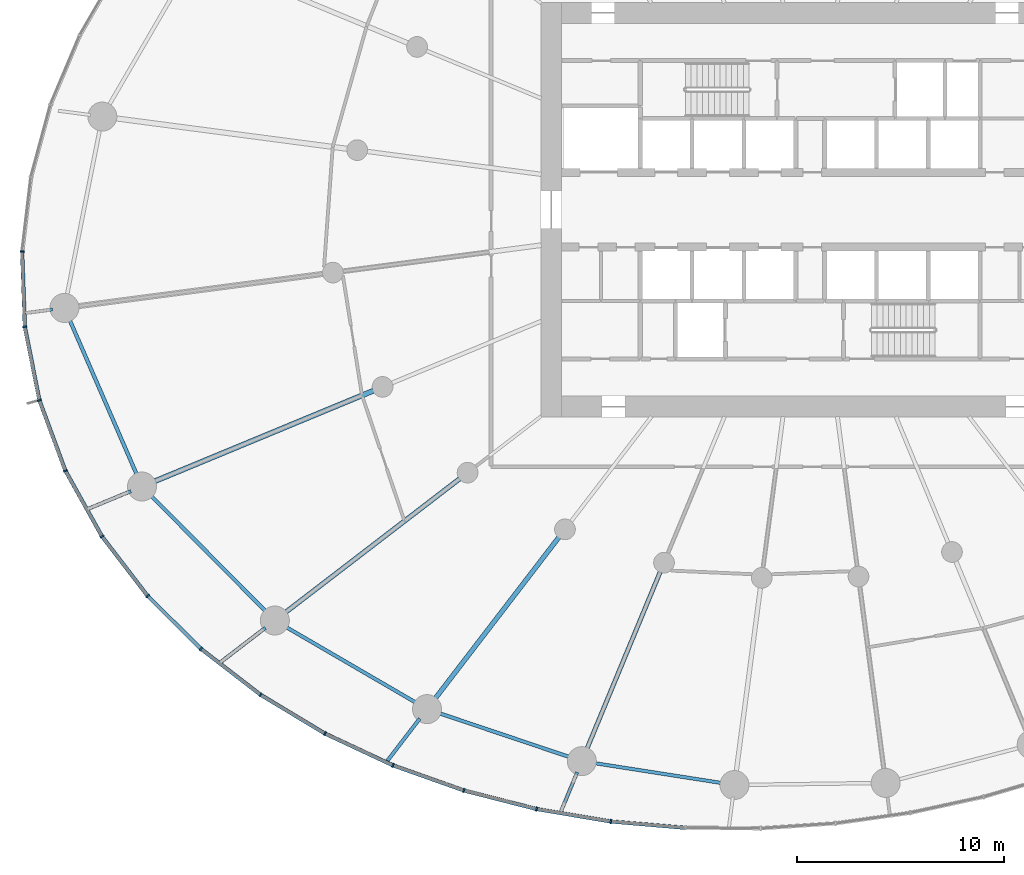
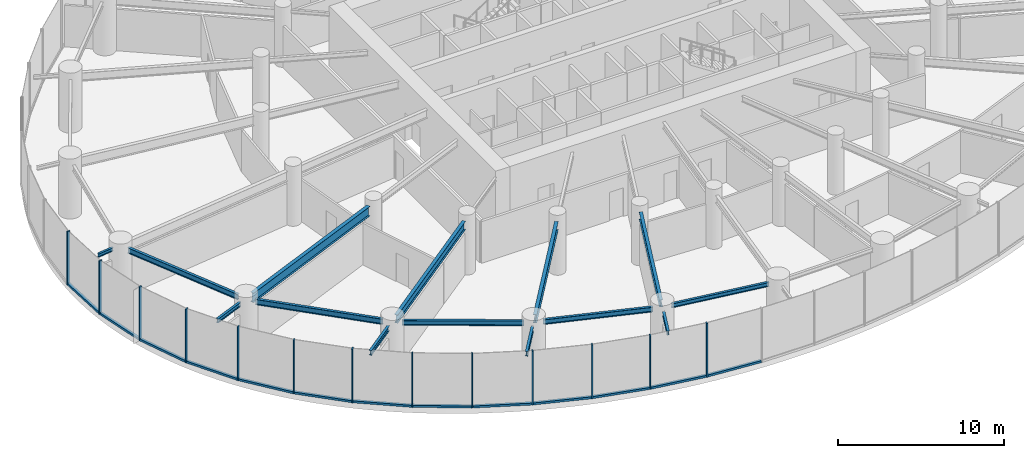
# One storey, part 2 of 19: 26 members, 14 beams, 3 elements without a shape of their own.
"""IFC4 building model written with IfcOpenShell, lengths in metres."""

from ifc_helpers import new_model, si_unit, direction, frame, origin, origin_2d, place, context, subcontext, project, spatial, rectangle, i_section, extrude, source, transform, mapped, material, layer, layer_set, material_profile, profile_set, type_object, element, aggregate, save


model = new_model("IFC4")

# Units and contexts
model_context = context("Model", 3, precision=1e-05, world=origin(), true_north=direction((0.0, 1.0)))
body_context = subcontext(model_context, "Body", "Model", "MODEL_VIEW")
ifc_project = project(units=[si_unit("LENGTHUNIT", "METRE"), si_unit("AREAUNIT", "SQUARE_METRE"), si_unit("VOLUMEUNIT", "CUBIC_METRE"), si_unit("PLANEANGLEUNIT", "RADIAN"), si_unit("MASSUNIT", "GRAM", prefix="KILO")], contexts=[model_context])

# Site, building, storey
site_placement = place(None, origin())
site = spatial("IfcSite", under=ifc_project, at=site_placement, CompositionType="ELEMENT")
building_placement = place(site_placement, origin())
building = spatial("IfcBuilding", under=site, at=building_placement, Name="Spindrift Exchange Tower", CompositionType="ELEMENT")
storey_placement = place(building_placement, frame((0.0, 0.0, 57.800048828125)))
storey = spatial("IfcBuildingStorey", under=building, at=storey_placement, Name="L13", CompositionType="ELEMENT", Elevation=57.800048828125)

# Beams
ifc_material_1 = material(Name="Steel Grade 300", Category="steel")
ifc_material_profile_1 = material_profile(ifc_material_1, i_section(OverallWidth=0.25, OverallDepth=0.699951171875, WebThickness=0.008056640625, FlangeThickness=0.011962890625, at=origin_2d()), Name="700WB115")
ifc_profile_set_1 = profile_set([ifc_material_profile_1], Name="Steel Grade 300")
beam_type_1 = type_object("IfcBeamType", Name="Floor Beam 700WB115 Steel Grade 300", PredefinedType="BEAM", material=ifc_profile_set_1)
shared_shape_1 = source(origin(), body_context, "Body", "SweptSolid", [
    extrude(i_section(OverallWidth=0.25, OverallDepth=0.699951171875, WebThickness=0.008056640625, FlangeThickness=0.011962890625, at=origin_2d()), origin(), (0.0, 0.0, 1.0), 11.505859375),
])
beam_1_placement = place(storey_placement, frame((30.917236328125, 39.26708984375, 3.599853515625), z_axis=(-0.923881578419, -0.38267849307, 0.0), x_axis=(0.38267849307, -0.923881578419, 0.0)))
element("IfcBeam", 1, at=beam_1_placement, inside=storey, type_object=beam_type_1, Name="L13 radial beam R14B", PredefinedType="BEAM", context=body_context, shape_type="MappedRepresentation", body=[
    mapped(shared_shape_1, transform((0.0, 0.0, 0.0), scale=1.0)),
])
ifc_material_profile_2 = material_profile(ifc_material_1, i_section(OverallWidth=0.22802734375, OverallDepth=0.60693359375, WebThickness=0.01123046875, FlangeThickness=0.017333984375, FilletRadius=0.013916015625, at=origin_2d()), Name="610UB113")
ifc_profile_set_2 = profile_set([ifc_material_profile_2], Name="Steel Grade 300")
beam_type_2 = type_object("IfcBeamType", Name="Floor Beam 610UB113 Steel Grade 300", PredefinedType="BEAM", material=ifc_profile_set_2)
shared_shape_2 = source(origin(), body_context, "Body", "SweptSolid", [
    extrude(i_section(OverallWidth=0.22802734375, OverallDepth=0.60693359375, WebThickness=0.01123046875, FlangeThickness=0.017333984375, FilletRadius=0.013916015625, at=origin_2d()), origin(), (0.0, 0.0, 1.0), 10.66357421875),
])
beam_2_placement = place(storey_placement, frame((35.08447265625, 35.020263671875, 3.646484375), z_axis=(-0.793357926757, -0.608755451764, 0.0), x_axis=(0.608755451764, -0.793357926757, 0.0)))
element("IfcBeam", 2, at=beam_2_placement, inside=storey, type_object=beam_type_2, Name="L13 radial beam R15B", PredefinedType="BEAM", context=body_context, shape_type="MappedRepresentation", body=[
    mapped(shared_shape_2, transform((0.0, 0.0, 0.0), scale=1.0)),
])
shared_shape_3 = source(origin(), body_context, "Body", "SweptSolid", [
    extrude(i_section(OverallWidth=0.22802734375, OverallDepth=0.60693359375, WebThickness=0.01123046875, FlangeThickness=0.017333984375, FilletRadius=0.013916015625, at=origin_2d()), origin(), (0.0, 0.0, 1.0), 9.87548828125),
])
beam_3_placement = place(storey_placement, frame((39.872802734375, 32.1953125, 3.646484375), z_axis=(-0.608772470836, -0.793344867477, 0.0), x_axis=(0.793344867477, -0.608772470836, 0.0)))
element("IfcBeam", 3, at=beam_3_placement, inside=storey, type_object=beam_type_2, Name="L13 radial beam R16B", PredefinedType="BEAM", context=body_context, shape_type="MappedRepresentation", body=[
    mapped(shared_shape_3, transform((0.0, 0.0, 0.0), scale=1.0)),
])
ifc_material_profile_3 = material_profile(ifc_material_1, i_section(OverallWidth=0.208984375, OverallDepth=0.532958984375, WebThickness=0.01025390625, FlangeThickness=0.015625, FilletRadius=0.013916015625, at=origin_2d()), Name="530UB92.4")
ifc_profile_set_3 = profile_set([ifc_material_profile_3], Name="Steel Grade 300")
beam_type_3 = type_object("IfcBeamType", Name="Floor Beam 530UB92.4 Steel Grade 300", PredefinedType="BEAM", material=ifc_profile_set_3)
shared_shape_4 = source(origin(), body_context, "Body", "SweptSolid", [
    extrude(i_section(OverallWidth=0.208984375, OverallDepth=0.532958984375, WebThickness=0.01025390625, FlangeThickness=0.015625, FilletRadius=0.013916015625, at=origin_2d()), origin(), (0.0, 0.0, 1.0), 9.309326171875),
])
beam_4_placement = place(storey_placement, frame((44.76171875, 30.525146484375, 3.683349609375), z_axis=(-0.382685326691, -0.923878747853, 0.0), x_axis=(0.923878747853, -0.382685326691, 0.0)))
element("IfcBeam", 4, at=beam_4_placement, inside=storey, type_object=beam_type_3, Name="L13 radial beam R17B", PredefinedType="BEAM", context=body_context, shape_type="MappedRepresentation", body=[
    mapped(shared_shape_4, transform((0.0, 0.0, 0.0), scale=1.0)),
])
ifc_material_profile_4 = material_profile(ifc_material_1, i_section(OverallWidth=0.177978515625, OverallDepth=0.406005859375, WebThickness=0.0078125, FlangeThickness=0.0126953125, FilletRadius=0.013916015625, at=origin_2d()), Name="410UB59.7")
ifc_profile_set_4 = profile_set([ifc_material_profile_4], Name="Steel Grade 300")
beam_type_4 = type_object("IfcBeamType", Name="Edge Beam 410UB59.7 Steel Grade 300", PredefinedType="SPANDREL", material=ifc_profile_set_4)
shared_shape_5 = source(origin(), body_context, "Body", "SweptSolid", [
    extrude(i_section(OverallWidth=0.177978515625, OverallDepth=0.406005859375, WebThickness=0.0078125, FlangeThickness=0.0126953125, FilletRadius=0.013916015625, at=origin_2d()), origin(), (0.0, 0.0, 1.0), 8.23681640625),
])
beam_5_placement = place(storey_placement, frame((16.240478515625, 42.729736328125, 3.7470703125), z_axis=(0.398186298756, -0.91730456855, 0.0), x_axis=(0.91730456855, 0.398186298756, 0.0)))
element("IfcBeam", 5, at=beam_5_placement, inside=storey, type_object=beam_type_4, Name="L13 edge beam E13", PredefinedType="SPANDREL", context=body_context, shape_type="MappedRepresentation", body=[
    mapped(shared_shape_5, transform((0.0, 0.0, 0.0), scale=1.0)),
])
shared_shape_6 = source(origin(), body_context, "Body", "SweptSolid", [
    extrude(i_section(OverallWidth=0.177978515625, OverallDepth=0.406005859375, WebThickness=0.0078125, FlangeThickness=0.0126953125, FilletRadius=0.013916015625, at=origin_2d()), origin(), (0.0, 0.0, 1.0), 7.947509765625),
])
beam_6_placement = place(storey_placement, frame((20.159423828125, 34.230224609375, 3.7470703125), z_axis=(0.704197895271, -0.710003749494, 0.0), x_axis=(0.710003749494, 0.704197895271, 0.0)))
element("IfcBeam", 6, at=beam_6_placement, inside=storey, type_object=beam_type_4, Name="L13 edge beam E14", PredefinedType="SPANDREL", context=body_context, shape_type="MappedRepresentation", body=[
    mapped(shared_shape_6, transform((0.0, 0.0, 0.0), scale=1.0)),
])
ifc_material_profile_5 = material_profile(ifc_material_1, i_section(OverallWidth=0.172119140625, OverallDepth=0.35888671875, WebThickness=0.008056640625, FlangeThickness=0.012939453125, FilletRadius=0.013916015625, at=origin_2d()), Name="360UB56.7")
ifc_profile_set_5 = profile_set([ifc_material_profile_5], Name="Steel Grade 300")
beam_type_5 = type_object("IfcBeamType", Name="Edge Beam 360UB56.7 Steel Grade 300", PredefinedType="SPANDREL", material=ifc_profile_set_5)
shared_shape_7 = source(origin(), body_context, "Body", "SweptSolid", [
    extrude(i_section(OverallWidth=0.172119140625, OverallDepth=0.35888671875, WebThickness=0.008056640625, FlangeThickness=0.012939453125, FilletRadius=0.013916015625, at=origin_2d()), origin(), (0.0, 0.0, 1.0), 7.33740234375),
])
beam_7_placement = place(storey_placement, frame((26.66552734375, 27.8837890625, 3.7705078125), z_axis=(0.864211826308, -0.503128134047, 0.0), x_axis=(0.503128134047, 0.864211826308, 0.0)))
element("IfcBeam", 7, at=beam_7_placement, inside=storey, type_object=beam_type_5, Name="L13 edge beam E15", PredefinedType="SPANDREL", context=body_context, shape_type="MappedRepresentation", body=[
    mapped(shared_shape_7, transform((0.0, 0.0, 0.0), scale=1.0)),
])
shared_shape_8 = source(origin(), body_context, "Body", "SweptSolid", [
    extrude(i_section(OverallWidth=0.172119140625, OverallDepth=0.35888671875, WebThickness=0.008056640625, FlangeThickness=0.012939453125, FilletRadius=0.013916015625, at=origin_2d()), origin(), (0.0, 0.0, 1.0), 6.72021484375),
])
beam_8_placement = place(storey_placement, frame((34.0576171875, 23.71533203125, 3.7705078125), z_axis=(0.947851749681, -0.318711563372, 0.0), x_axis=(0.318711563372, 0.947851749681, 0.0)))
element("IfcBeam", 8, at=beam_8_placement, inside=storey, type_object=beam_type_5, Name="L13 edge beam E16", PredefinedType="SPANDREL", context=body_context, shape_type="MappedRepresentation", body=[
    mapped(shared_shape_8, transform((0.0, 0.0, 0.0), scale=1.0)),
])
ifc_material_profile_6 = material_profile(ifc_material_1, i_section(OverallWidth=0.1650390625, OverallDepth=0.303955078125, WebThickness=0.006103515625, FlangeThickness=0.01025390625, FilletRadius=0.011474609375, at=origin_2d()), Name="310UB40.4")
ifc_profile_set_6 = profile_set([ifc_material_profile_6], Name="Steel Grade 300")
beam_type_6 = type_object("IfcBeamType", Name="Edge Beam 310UB40.4 Steel Grade 300", PredefinedType="SPANDREL", material=ifc_profile_set_6)
shared_shape_9 = source(origin(), body_context, "Body", "SweptSolid", [
    extrude(i_section(OverallWidth=0.1650390625, OverallDepth=0.303955078125, WebThickness=0.006103515625, FlangeThickness=0.01025390625, FilletRadius=0.011474609375, at=origin_2d()), origin(), (0.0, 0.0, 1.0), 6.297119140625),
])
beam_9_placement = place(storey_placement, frame((41.55029296875, 21.29931640625, 3.7978515625), z_axis=(0.98802902915, -0.154268070436, 0.0), x_axis=(0.154268070436, 0.98802902915, 0.0)))
element("IfcBeam", 9, at=beam_9_placement, inside=storey, type_object=beam_type_6, Name="L13 edge beam E17", PredefinedType="SPANDREL", context=body_context, shape_type="MappedRepresentation", body=[
    mapped(shared_shape_9, transform((0.0, 0.0, 0.0), scale=1.0)),
])
ifc_material_profile_7 = material_profile(ifc_material_1, i_section(OverallWidth=0.14599609375, OverallDepth=0.251953125, WebThickness=0.006103515625, FlangeThickness=0.008544921875, FilletRadius=0.011962890625, at=origin_2d()), Name="250UB31.4")
ifc_profile_set_7 = profile_set([ifc_material_profile_7], Name="Steel Grade 300")
beam_type_7 = type_object("IfcBeamType", Name="Cantilever Beam 250UB31.4 Steel Grade 300", PredefinedType="BEAM", material=ifc_profile_set_7)
shared_shape_10 = source(origin(), body_context, "Body", "SweptSolid", [
    extrude(i_section(OverallWidth=0.14599609375, OverallDepth=0.251953125, WebThickness=0.006103515625, FlangeThickness=0.008544921875, FilletRadius=0.011962890625, at=origin_2d()), origin(), (0.0, 0.0, 1.0), 1.119140625),
])
beam_10_placement = place(storey_placement, frame((15.4345703125, 43.18603515625, 3.823974609375), z_axis=(-0.991455038011, -0.130448869688, 0.0), x_axis=(0.130448869688, -0.991455038011, 0.0)))
element("IfcBeam", 10, at=beam_10_placement, inside=storey, type_object=beam_type_7, Name="L13 cantilever beam R13T", PredefinedType="BEAM", context=body_context, shape_type="MappedRepresentation", body=[
    mapped(shared_shape_10, transform((0.0, 0.0, 0.0), scale=1.0)),
])
ifc_material_profile_8 = material_profile(ifc_material_1, i_section(OverallWidth=0.1650390625, OverallDepth=0.303955078125, WebThickness=0.006103515625, FlangeThickness=0.01025390625, FilletRadius=0.011474609375, at=origin_2d()), Name="310UB40.4")
ifc_profile_set_8 = profile_set([ifc_material_profile_8], Name="Steel Grade 300")
beam_type_8 = type_object("IfcBeamType", Name="Cantilever Beam 310UB40.4 Steel Grade 300", PredefinedType="BEAM", material=ifc_profile_set_8)
shared_shape_11 = source(origin(), body_context, "Body", "SweptSolid", [
    extrude(i_section(OverallWidth=0.1650390625, OverallDepth=0.303955078125, WebThickness=0.006103515625, FlangeThickness=0.01025390625, FilletRadius=0.011474609375, at=origin_2d()), origin(), (0.0, 0.0, 1.0), 2.27392578125),
])
beam_11_placement = place(storey_placement, frame((19.21533203125, 34.420166015625, 3.7978515625), z_axis=(-0.92385325194, -0.382746873116, 0.0), x_axis=(0.382746873116, -0.92385325194, 0.0)))
element("IfcBeam", 11, at=beam_11_placement, inside=storey, type_object=beam_type_8, Name="L13 cantilever beam R14T", PredefinedType="BEAM", context=body_context, shape_type="MappedRepresentation", body=[
    mapped(shared_shape_11, transform((0.0, 0.0, 0.0), scale=1.0)),
])
ifc_material_profile_9 = material_profile(ifc_material_1, i_section(OverallWidth=0.172119140625, OverallDepth=0.35888671875, WebThickness=0.008056640625, FlangeThickness=0.012939453125, FilletRadius=0.013916015625, at=origin_2d()), Name="360UB56.7")
ifc_profile_set_9 = profile_set([ifc_material_profile_9], Name="Steel Grade 300")
beam_type_9 = type_object("IfcBeamType", Name="Cantilever Beam 360UB56.7 Steel Grade 300", PredefinedType="BEAM", material=ifc_profile_set_9)
shared_shape_12 = source(origin(), body_context, "Body", "SweptSolid", [
    extrude(i_section(OverallWidth=0.172119140625, OverallDepth=0.35888671875, WebThickness=0.008056640625, FlangeThickness=0.012939453125, FilletRadius=0.013916015625, at=origin_2d()), origin(), (0.0, 0.0, 1.0), 2.87646484375),
])
beam_12_placement = place(storey_placement, frame((25.704345703125, 27.822509765625, 3.7705078125), z_axis=(-0.79336175846, -0.60875045808, 0.0), x_axis=(0.60875045808, -0.79336175846, 0.0)))
element("IfcBeam", 12, at=beam_12_placement, inside=storey, type_object=beam_type_9, Name="L13 cantilever beam R15T", PredefinedType="BEAM", context=body_context, shape_type="MappedRepresentation", body=[
    mapped(shared_shape_12, transform((0.0, 0.0, 0.0), scale=1.0)),
])
shared_shape_13 = source(origin(), body_context, "Body", "SweptSolid", [
    extrude(i_section(OverallWidth=0.172119140625, OverallDepth=0.35888671875, WebThickness=0.008056640625, FlangeThickness=0.012939453125, FilletRadius=0.013916015625, at=origin_2d()), origin(), (0.0, 0.0, 1.0), 2.71337890625),
])
beam_13_placement = place(storey_placement, frame((33.154541015625, 23.440185546875, 3.7705078125), z_axis=(-0.608788496113, -0.793332570238, 0.0), x_axis=(0.793332570238, -0.608788496113, 0.0)))
element("IfcBeam", 13, at=beam_13_placement, inside=storey, type_object=beam_type_9, Name="L13 cantilever beam R16T", PredefinedType="BEAM", context=body_context, shape_type="MappedRepresentation", body=[
    mapped(shared_shape_13, transform((0.0, 0.0, 0.0), scale=1.0)),
])
shared_shape_14 = source(origin(), body_context, "Body", "SweptSolid", [
    extrude(i_section(OverallWidth=0.1650390625, OverallDepth=0.303955078125, WebThickness=0.006103515625, FlangeThickness=0.01025390625, FilletRadius=0.011474609375, at=origin_2d()), origin(), (0.0, 0.0, 1.0), 2.148193359375),
])
beam_14_placement = place(storey_placement, frame((40.755126953125, 20.852783203125, 3.7978515625), z_axis=(-0.38266965235, -0.92388524026, 0.0), x_axis=(0.92388524026, -0.38266965235, 0.0)))
element("IfcBeam", 14, at=beam_14_placement, inside=storey, type_object=beam_type_8, Name="L13 cantilever beam R17T", PredefinedType="BEAM", context=body_context, shape_type="MappedRepresentation", body=[
    mapped(shared_shape_14, transform((0.0, 0.0, 0.0), scale=1.0)),
])

# Curtain wall, members
ifc_material_2 = material(Name="Fritted laminated glass with bronze frame", Category="glass")
ifc_layer = layer(ifc_material_2, 0.199951171875)
ifc_layer_set = layer_set([ifc_layer], Name="ZONE 1 BRONZE FRITTED WALL")
curtain_wall_type = type_object("IfcCurtainWallType", Name="ZONE 1 BRONZE FRITTED WALL", PredefinedType="NOTDEFINED", material=ifc_layer_set)
curtain_wall_1_placement = place(storey_placement, origin())
curtain_wall_1 = element("IfcCurtainWall", 15, at=curtain_wall_1_placement, inside=storey, type_object=curtain_wall_type, Name="L13 Zone 1 Bronze Fritted Wall run 5", PredefinedType="NOTDEFINED")
ifc_material_3 = material(Name="Bronze anodised aluminium", Category="aluminium")
ifc_material_profile_10 = material_profile(ifc_material_3, rectangle(XDim=0.080078125, YDim=0.199951171875, at=origin_2d()), Name="ZONE 1 BRONZE FRITTED WALL MULLION 80X200")
ifc_profile_set_10 = profile_set([ifc_material_profile_10], Name="Bronze anodised aluminium")
member_type_1 = type_object("IfcMemberType", Name="ZONE 1 BRONZE FRITTED WALL MULLION 80X200", PredefinedType="MULLION", material=ifc_profile_set_10)
shared_shape_15 = source(origin(), body_context, "Body", "SweptSolid", [
    extrude(rectangle(XDim=0.080078125, YDim=0.199951171875, at=origin_2d()), origin(), (0.0, 0.0, 1.0), 3.949951171875),
])
member_1_placement = place(storey_placement, frame((13.9658203125, 45.981201171875, 0.0), z_axis=(0.0, 0.0, 1.0), x_axis=(-0.040908109503, -0.999162912931, 0.0)))
member_1 = element("IfcMember", 16, at=member_1_placement, type_object=member_type_1, Name="L13 mullion CW-1.29", PredefinedType="MULLION", context=body_context, shape_type="MappedRepresentation", body=[
    mapped(shared_shape_15, transform((0.0, 0.0, 0.0), scale=1.0)),
])
member_2_placement = place(storey_placement, frame((14.096923828125, 42.35888671875, 0.0), z_axis=(0.0, 0.0, 1.0), x_axis=(0.115363592162, -0.993323331853, 0.0)))
member_2 = element("IfcMember", 17, at=member_2_placement, type_object=member_type_1, Name="L13 mullion CW-1.30", PredefinedType="MULLION", context=body_context, shape_type="MappedRepresentation", body=[
    mapped(shared_shape_15, transform((0.0, 0.0, 0.0), scale=1.0)),
])

curtain_wall_2_placement = place(storey_placement, origin())
curtain_wall_2 = element("IfcCurtainWall", 18, at=curtain_wall_2_placement, inside=storey, type_object=curtain_wall_type, Name="L13 Zone 1 Bronze Fritted Wall run 6", PredefinedType="NOTDEFINED")
member_3_placement = place(storey_placement, frame((14.799560546875, 38.803466796875, 0.0), z_axis=(0.0, 0.0, 1.0), x_axis=(0.271047033247, -0.962566104623, 0.0)))
member_3 = element("IfcMember", 19, at=member_3_placement, type_object=member_type_1, Name="L13 mullion CW-1.31", PredefinedType="MULLION", context=body_context, shape_type="MappedRepresentation", body=[
    mapped(shared_shape_15, transform((0.0, 0.0, 0.0), scale=1.0)),
])
member_4_placement = place(storey_placement, frame((16.0556640625, 35.403564453125, 0.0), z_axis=(0.0, 0.0, 1.0), x_axis=(0.417791063261, -0.908543134617, 0.0)))
member_4 = element("IfcMember", 20, at=member_4_placement, type_object=member_type_1, Name="L13 mullion CW-1.32", PredefinedType="MULLION", context=body_context, shape_type="MappedRepresentation", body=[
    mapped(shared_shape_15, transform((0.0, 0.0, 0.0), scale=1.0)),
])
member_5_placement = place(storey_placement, frame((17.819091796875, 32.23681640625, 0.0), z_axis=(0.0, 0.0, 1.0), x_axis=(0.548931809215, -0.835867135873, 0.0)))
member_5 = element("IfcMember", 21, at=member_5_placement, type_object=member_type_1, Name="L13 mullion CW-1.33", PredefinedType="MULLION", context=body_context, shape_type="MappedRepresentation", body=[
    mapped(shared_shape_15, transform((0.0, 0.0, 0.0), scale=1.0)),
])
member_6_placement = place(storey_placement, frame((20.02490234375, 29.359619140625, 0.0), z_axis=(0.0, 0.0, 1.0), x_axis=(0.660779365314, -0.750580195832, 0.0)))
member_6 = element("IfcMember", 22, at=member_6_placement, type_object=member_type_1, Name="L13 mullion CW-1.34", PredefinedType="MULLION", context=body_context, shape_type="MappedRepresentation", body=[
    mapped(shared_shape_15, transform((0.0, 0.0, 0.0), scale=1.0)),
])
member_7_placement = place(storey_placement, frame((22.599609375, 26.806884765625, 0.0), z_axis=(0.0, 0.0, 1.0), x_axis=(0.752603232576, -0.658474277642, 0.0)))
member_7 = element("IfcMember", 23, at=member_7_placement, type_object=member_type_1, Name="L13 mullion CW-1.35", PredefinedType="MULLION", context=body_context, shape_type="MappedRepresentation", body=[
    mapped(shared_shape_15, transform((0.0, 0.0, 0.0), scale=1.0)),
])
member_8_placement = place(storey_placement, frame((25.471923828125, 24.59375, 0.0), z_axis=(0.0, 0.0, 1.0), x_axis=(0.825712558995, -0.564091100726, 0.0)))
member_8 = element("IfcMember", 24, at=member_8_placement, type_object=member_type_1, Name="L13 mullion CW-1.36", PredefinedType="MULLION", context=body_context, shape_type="MappedRepresentation", body=[
    mapped(shared_shape_15, transform((0.0, 0.0, 0.0), scale=1.0)),
])

curtain_wall_3_placement = place(storey_placement, origin())
curtain_wall_3 = element("IfcCurtainWall", 25, at=curtain_wall_3_placement, inside=storey, type_object=curtain_wall_type, Name="L13 Zone 1 Bronze Fritted Wall run 7", PredefinedType="NOTDEFINED")
member_9_placement = place(storey_placement, frame((28.578125, 22.722412109375, 0.0), z_axis=(0.0, 0.0, 1.0), x_axis=(0.882440609007, -0.470423821225, 0.0)))
member_9 = element("IfcMember", 26, at=member_9_placement, type_object=member_type_1, Name="L13 mullion CW-1.37", PredefinedType="MULLION", context=body_context, shape_type="MappedRepresentation", body=[
    mapped(shared_shape_15, transform((0.0, 0.0, 0.0), scale=1.0)),
])
member_10_placement = place(storey_placement, frame((31.863525390625, 21.1865234375, 0.0), z_axis=(0.0, 0.0, 1.0), x_axis=(0.925328087179, -0.379167418271, 0.0)))
member_10 = element("IfcMember", 27, at=member_10_placement, type_object=member_type_1, Name="L13 mullion CW-1.38", PredefinedType="MULLION", context=body_context, shape_type="MappedRepresentation", body=[
    mapped(shared_shape_15, transform((0.0, 0.0, 0.0), scale=1.0)),
])
member_11_placement = place(storey_placement, frame((35.2822265625, 19.975341796875, 0.0), z_axis=(0.0, 0.0, 1.0), x_axis=(0.95669199266, -0.29110209752, 0.0)))
member_11 = element("IfcMember", 28, at=member_11_placement, type_object=member_type_1, Name="L13 mullion CW-1.39", PredefinedType="MULLION", context=body_context, shape_type="MappedRepresentation", body=[
    mapped(shared_shape_15, transform((0.0, 0.0, 0.0), scale=1.0)),
])
member_12_placement = place(storey_placement, frame((38.79638671875, 19.076904296875, 0.0), z_axis=(0.0, 0.0, 1.0), x_axis=(0.978457025214, -0.206450598956, 0.0)))
member_12 = element("IfcMember", 29, at=member_12_placement, type_object=member_type_1, Name="L13 mullion CW-1.40", PredefinedType="MULLION", context=body_context, shape_type="MappedRepresentation", body=[
    mapped(shared_shape_15, transform((0.0, 0.0, 0.0), scale=1.0)),
])
member_13_placement = place(storey_placement, frame((42.373779296875, 18.47900390625, 0.0), z_axis=(0.0, 0.0, 1.0), x_axis=(0.992149205244, -0.125059803829, 0.0)))
member_13 = element("IfcMember", 30, at=member_13_placement, type_object=member_type_1, Name="L13 mullion CW-1.41", PredefinedType="MULLION", context=body_context, shape_type="MappedRepresentation", body=[
    mapped(shared_shape_15, transform((0.0, 0.0, 0.0), scale=1.0)),
])

# Member
ifc_material_profile_11 = material_profile(ifc_material_3, rectangle(XDim=0.179931640625, YDim=0.14990234375, at=origin_2d()), Name="ZONE 1 BRONZE FRITTED WALL TRANSOM 180X150")
ifc_profile_set_11 = profile_set([ifc_material_profile_11], Name="Bronze anodised aluminium")
member_type_2 = type_object("IfcMemberType", Name="ZONE 1 BRONZE FRITTED WALL TRANSOM 180X150", PredefinedType="USERDEFINED", material=ifc_profile_set_11)
shared_shape_16 = source(origin(), body_context, "Body", "SweptSolid", [
    extrude(rectangle(XDim=0.179931640625, YDim=0.14990234375, at=origin_2d()), origin(), (0.0, 0.0, 1.0), 3.54443359375),
])
member_14_placement = place(storey_placement, frame((13.96728515625, 45.941162109375, 0.074951171875), z_axis=(0.036160772096, -0.999345985413, 0.0), x_axis=(0.999345985413, 0.036160772096, 0.0)))
member_14 = element("IfcMember", 31, at=member_14_placement, type_object=member_type_2, Name="L13 transom CW-1.29", ObjectType="TRANSOM", PredefinedType="USERDEFINED", context=body_context, shape_type="MappedRepresentation", body=[
    mapped(shared_shape_16, transform((0.0, 0.0, 0.0), scale=1.0)),
])

member_15_placement = place(storey_placement, frame((14.104736328125, 42.31982421875, 0.074951171875), z_axis=(0.193824065312, -0.981036304989, 0.0), x_axis=(0.981036304989, 0.193824065312, 0.0)))
member_15 = element("IfcMember", 32, at=member_15_placement, type_object=member_type_2, Name="L13 transom CW-1.30", ObjectType="TRANSOM", PredefinedType="USERDEFINED", context=body_context, shape_type="MappedRepresentation", body=[
    mapped(shared_shape_16, transform((0.0, 0.0, 0.0), scale=1.0)),
])

aggregate(curtain_wall_1, [member_1, member_14, member_2, member_15])

shared_shape_17 = source(origin(), body_context, "Body", "SweptSolid", [
    extrude(rectangle(XDim=0.179931640625, YDim=0.14990234375, at=origin_2d()), origin(), (0.0, 0.0, 1.0), 3.544921875),
])
member_16_placement = place(storey_placement, frame((16.074951171875, 35.36865234375, 0.074951171875), z_axis=(0.486578267998, -0.873636989322, 0.0), x_axis=(0.873636989322, 0.486578267998, 0.0)))
member_16 = element("IfcMember", 33, at=member_16_placement, type_object=member_type_2, Name="L13 transom CW-1.32", ObjectType="TRANSOM", PredefinedType="USERDEFINED", context=body_context, shape_type="MappedRepresentation", body=[
    mapped(shared_shape_17, transform((0.0, 0.0, 0.0), scale=1.0)),
])

shared_shape_18 = source(origin(), body_context, "Body", "SweptSolid", [
    extrude(rectangle(XDim=0.179931640625, YDim=0.14990234375, at=origin_2d()), origin(), (0.0, 0.0, 1.0), 3.545654296875),
])
member_17_placement = place(storey_placement, frame((20.05322265625, 29.33154296875, 0.074951171875), z_axis=(0.710095604834, -0.704105270535, 0.0), x_axis=(0.704105270535, 0.710095604834, 0.0)))
member_17 = element("IfcMember", 34, at=member_17_placement, type_object=member_type_2, Name="L13 transom CW-1.34", ObjectType="TRANSOM", PredefinedType="USERDEFINED", context=body_context, shape_type="MappedRepresentation", body=[
    mapped(shared_shape_18, transform((0.0, 0.0, 0.0), scale=1.0)),
])

shared_shape_19 = source(origin(), body_context, "Body", "SweptSolid", [
    extrude(rectangle(XDim=0.179931640625, YDim=0.14990234375, at=origin_2d()), origin(), (0.0, 0.0, 1.0), 3.546142578125),
])
member_18_placement = place(storey_placement, frame((22.631103515625, 26.782470703125, 0.074951171875), z_axis=(0.792150269001, -0.610326102442, 0.0), x_axis=(0.610326102442, 0.792150269001, 0.0)))
member_18 = element("IfcMember", 35, at=member_18_placement, type_object=member_type_2, Name="L13 transom CW-1.35", ObjectType="TRANSOM", PredefinedType="USERDEFINED", context=body_context, shape_type="MappedRepresentation", body=[
    mapped(shared_shape_19, transform((0.0, 0.0, 0.0), scale=1.0)),
])

shared_shape_20 = source(origin(), body_context, "Body", "SweptSolid", [
    extrude(rectangle(XDim=0.179931640625, YDim=0.14990234375, at=origin_2d()), origin(), (0.0, 0.0, 1.0), 3.546875),
])
member_19_placement = place(storey_placement, frame((31.901123046875, 21.173095703125, 0.074951171875), z_axis=(0.94260465903, -0.333910851538, 0.0), x_axis=(0.333910851538, 0.94260465903, 0.0)))
member_19 = element("IfcMember", 36, at=member_19_placement, type_object=member_type_2, Name="L13 transom CW-1.38", ObjectType="TRANSOM", PredefinedType="USERDEFINED", context=body_context, shape_type="MappedRepresentation", body=[
    mapped(shared_shape_20, transform((0.0, 0.0, 0.0), scale=1.0)),
])

shared_shape_21 = source(origin(), body_context, "Body", "SweptSolid", [
    extrude(rectangle(XDim=0.179931640625, YDim=0.14990234375, at=origin_2d()), origin(), (0.0, 0.0, 1.0), 3.547119140625),
])
member_20_placement = place(storey_placement, frame((35.321044921875, 19.965576171875, 0.074951171875), z_axis=(0.968833058709, -0.247714562254, 0.0), x_axis=(0.247714562254, 0.968833058709, 0.0)))
member_20 = element("IfcMember", 37, at=member_20_placement, type_object=member_type_2, Name="L13 transom CW-1.39", ObjectType="TRANSOM", PredefinedType="USERDEFINED", context=body_context, shape_type="MappedRepresentation", body=[
    mapped(shared_shape_21, transform((0.0, 0.0, 0.0), scale=1.0)),
])

member_21_placement = place(storey_placement, frame((38.835693359375, 19.0703125, 0.074951171875), z_axis=(0.986319413077, -0.164845428773, 0.0), x_axis=(0.164845428773, 0.986319413077, 0.0)))
member_21 = element("IfcMember", 38, at=member_21_placement, type_object=member_type_2, Name="L13 transom CW-1.40", ObjectType="TRANSOM", PredefinedType="USERDEFINED", context=body_context, shape_type="MappedRepresentation", body=[
    mapped(shared_shape_21, transform((0.0, 0.0, 0.0), scale=1.0)),
])

shared_shape_22 = source(origin(), body_context, "Body", "SweptSolid", [
    extrude(rectangle(XDim=0.179931640625, YDim=0.14990234375, at=origin_2d()), origin(), (0.0, 0.0, 1.0), 3.54638671875),
])
member_22_placement = place(storey_placement, frame((25.506103515625, 24.5732421875, 0.074951171875), z_axis=(0.856574373258, -0.516023587715, 0.0), x_axis=(0.516023587715, 0.856574373258, 0.0)))
member_22 = element("IfcMember", 39, at=member_22_placement, type_object=member_type_2, Name="L13 transom CW-1.36", ObjectType="TRANSOM", PredefinedType="USERDEFINED", context=body_context, shape_type="MappedRepresentation", body=[
    mapped(shared_shape_22, transform((0.0, 0.0, 0.0), scale=1.0)),
])

shared_shape_23 = source(origin(), body_context, "Body", "SweptSolid", [
    extrude(rectangle(XDim=0.179931640625, YDim=0.14990234375, at=origin_2d()), origin(), (0.0, 0.0, 1.0), 3.545166015625),
])
member_23_placement = place(storey_placement, frame((17.843505859375, 32.204833984375, 0.074951171875), z_axis=(0.60842865216, -0.793608578098, 0.0), x_axis=(0.793608578098, 0.60842865216, 0.0)))
member_23 = element("IfcMember", 40, at=member_23_placement, type_object=member_type_2, Name="L13 transom CW-1.33", ObjectType="TRANSOM", PredefinedType="USERDEFINED", context=body_context, shape_type="MappedRepresentation", body=[
    mapped(shared_shape_23, transform((0.0, 0.0, 0.0), scale=1.0)),
])

shared_shape_24 = source(origin(), body_context, "Body", "SweptSolid", [
    extrude(rectangle(XDim=0.179931640625, YDim=0.14990234375, at=origin_2d()), origin(), (0.0, 0.0, 1.0), 3.546630859375),
])
member_24_placement = place(storey_placement, frame((28.6142578125, 22.70556640625, 0.074951171875), z_axis=(0.905875150092, -0.423544817517, 0.0), x_axis=(0.423544817517, 0.905875150092, 0.0)))
member_24 = element("IfcMember", 41, at=member_24_placement, type_object=member_type_2, Name="L13 transom CW-1.37", ObjectType="TRANSOM", PredefinedType="USERDEFINED", context=body_context, shape_type="MappedRepresentation", body=[
    mapped(shared_shape_24, transform((0.0, 0.0, 0.0), scale=1.0)),
])

shared_shape_25 = source(origin(), body_context, "Body", "SweptSolid", [
    extrude(rectangle(XDim=0.179931640625, YDim=0.14990234375, at=origin_2d()), origin(), (0.0, 0.0, 1.0), 3.547607421875),
])
member_25_placement = place(storey_placement, frame((42.41357421875, 18.4755859375, 0.074951171875), z_axis=(0.99637570301, -0.08506149806, 0.0), x_axis=(0.08506149806, 0.99637570301, 0.0)))
member_25 = element("IfcMember", 42, at=member_25_placement, type_object=member_type_2, Name="L13 transom CW-1.41", ObjectType="TRANSOM", PredefinedType="USERDEFINED", context=body_context, shape_type="MappedRepresentation", body=[
    mapped(shared_shape_25, transform((0.0, 0.0, 0.0), scale=1.0)),
])

aggregate(curtain_wall_3, [member_9, member_24, member_10, member_19, member_11, member_20, member_12, member_21, member_13, member_25])

shared_shape_26 = source(origin(), body_context, "Body", "SweptSolid", [
    extrude(rectangle(XDim=0.179931640625, YDim=0.14990234375, at=origin_2d()), origin(), (0.0, 0.0, 1.0), 3.544677734375),
])
member_26_placement = place(storey_placement, frame((14.8134765625, 38.765869140625, 0.074951171875), z_axis=(0.346522349259, -0.938041716271, 0.0), x_axis=(0.938041716271, 0.346522349259, 0.0)))
member_26 = element("IfcMember", 43, at=member_26_placement, type_object=member_type_2, Name="L13 transom CW-1.31", ObjectType="TRANSOM", PredefinedType="USERDEFINED", context=body_context, shape_type="MappedRepresentation", body=[
    mapped(shared_shape_26, transform((0.0, 0.0, 0.0), scale=1.0)),
])

aggregate(curtain_wall_2, [member_3, member_26, member_4, member_16, member_5, member_23, member_6, member_17, member_7, member_18, member_8, member_22])

save(model, "model.ifc")
